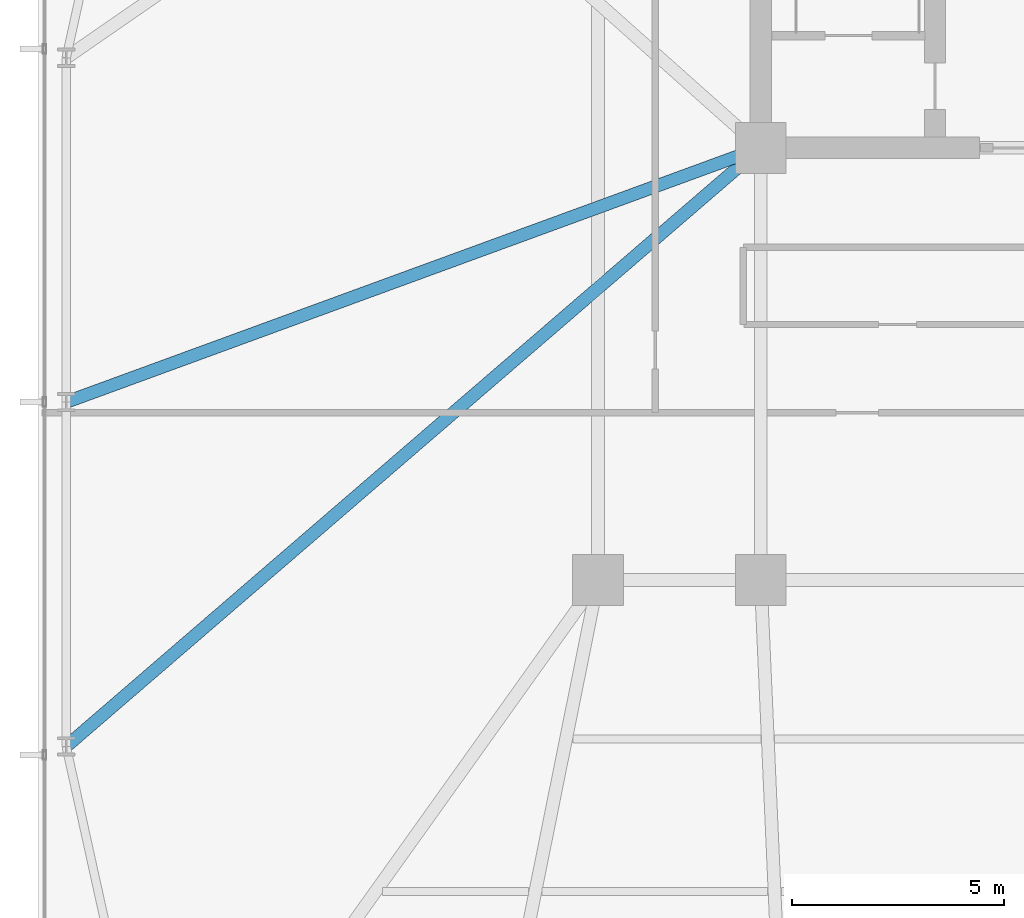
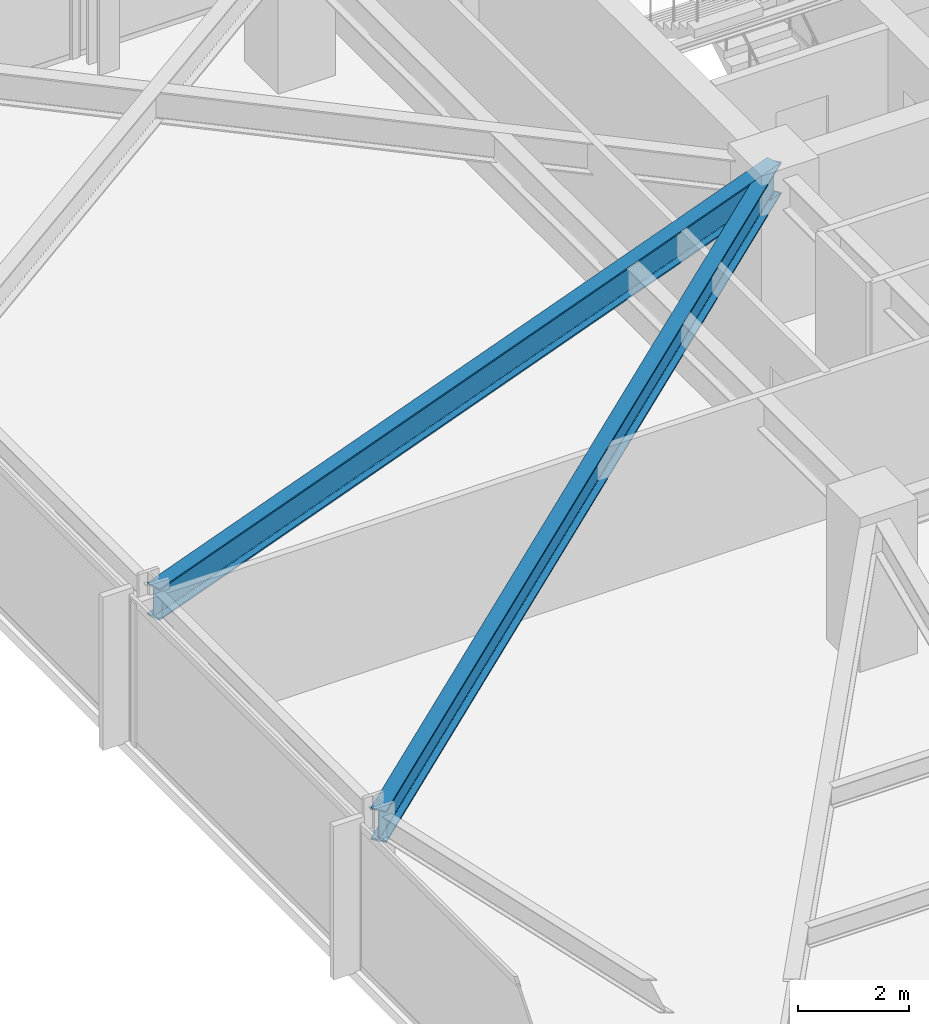
# One storey, part 8 of 32: 2 beams.
"""IFC4 building model written with IfcOpenShell, lengths in metres."""

from ifc_helpers import new_model, si_unit, direction, frame, origin, origin_2d, place, context, subcontext, project, spatial, i_section, extrude, material, material_profile, profile_set, type_object, element, save


model = new_model("IFC4")

# Units and contexts
model_context = context("Model", 3, precision=1e-05, world=origin(), true_north=direction((0.0, 1.0)))
body_context = subcontext(model_context, "Body", "Model", "MODEL_VIEW")
ifc_project = project(units=[si_unit("LENGTHUNIT", "METRE"), si_unit("AREAUNIT", "SQUARE_METRE"), si_unit("VOLUMEUNIT", "CUBIC_METRE"), si_unit("PLANEANGLEUNIT", "RADIAN"), si_unit("MASSUNIT", "GRAM", prefix="KILO")], contexts=[model_context])

# Site, building, storey
site_placement = place(None, origin())
site = spatial("IfcSite", under=ifc_project, at=site_placement, CompositionType="ELEMENT")
building_placement = place(site_placement, origin())
building = spatial("IfcBuilding", under=site, at=building_placement, Name="Yelkora Congress Tower", CompositionType="ELEMENT")
storey_placement = place(building_placement, frame((0.0, 0.0, 67.800048828125)))
storey = spatial("IfcBuildingStorey", under=building, at=storey_placement, Name="L17", CompositionType="ELEMENT", Elevation=67.800048828125)

# Beams
ifc_material = material(Name="Steel S355J2", Category="steel")
ifc_material_profile = material_profile(ifc_material, i_section(OverallWidth=0.300048828125, OverallDepth=0.699951171875, WebThickness=0.01708984375, FlangeThickness=0.031982421875, FilletRadius=0.027099609375, at=origin_2d()), Name="HEB 700")
ifc_profile_set = profile_set([ifc_material_profile], Name="Steel S355J2")
beam_type = type_object("IfcBeamType", Name="BM-GIRD-HEB700", PredefinedType="BEAM", material=ifc_profile_set)
beam_1_placement = place(storey_placement, frame((6.64990234375, 21.27490234375, 2.829833984375), z_axis=(0.757511165967, 0.652822206604, 0.0), x_axis=(-0.652822206604, 0.757511165967, 0.0)))
element("IfcBeam", 1, at=beam_1_placement, inside=storey, type_object=beam_type, Name="L17 Primary Frame Girder W01", PredefinedType="BEAM", context=body_context, shape_type="SweptSolid", body=[
    extrude(i_section(OverallWidth=0.300048828125, OverallDepth=0.699951171875, WebThickness=0.01708984375, FlangeThickness=0.031982421875, FilletRadius=0.027099609375, at=origin_2d()), origin(), (0.0, 0.0, 1.0), 21.63671875),
])
beam_2_placement = place(storey_placement, frame((6.64990234375, 29.39990234375, 2.829833984375), z_axis=(0.939056124561, 0.343763865064, 0.0), x_axis=(-0.343763865064, 0.939056124561, 0.0)))
element("IfcBeam", 2, at=beam_2_placement, inside=storey, type_object=beam_type, Name="L17 Primary Frame Girder W02", PredefinedType="BEAM", context=body_context, shape_type="SweptSolid", body=[
    extrude(i_section(OverallWidth=0.300048828125, OverallDepth=0.699951171875, WebThickness=0.01708984375, FlangeThickness=0.031982421875, FilletRadius=0.027099609375, at=origin_2d()), origin(), (0.0, 0.0, 1.0), 17.453857421875),
])

save(model, "model.ifc")
